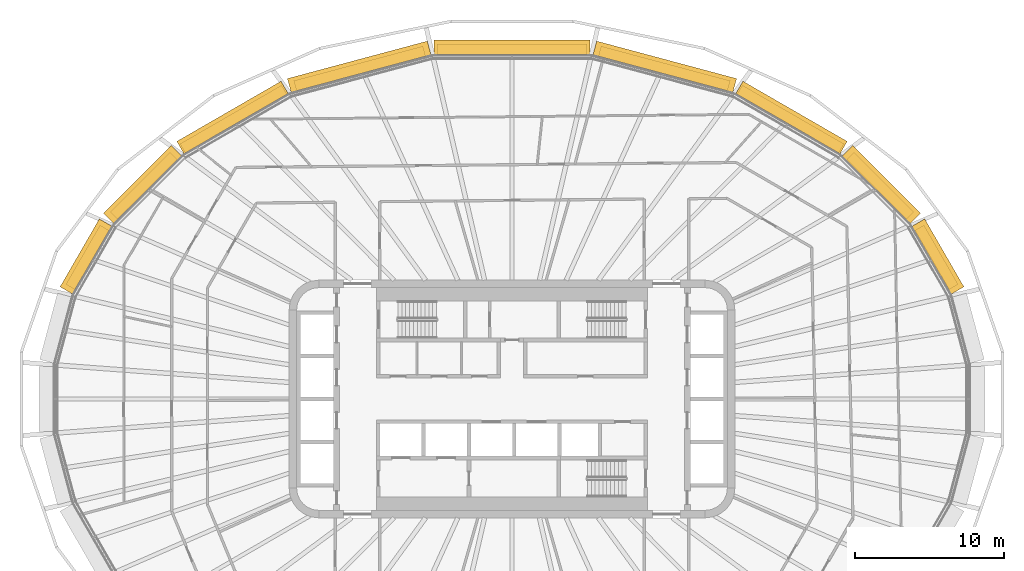
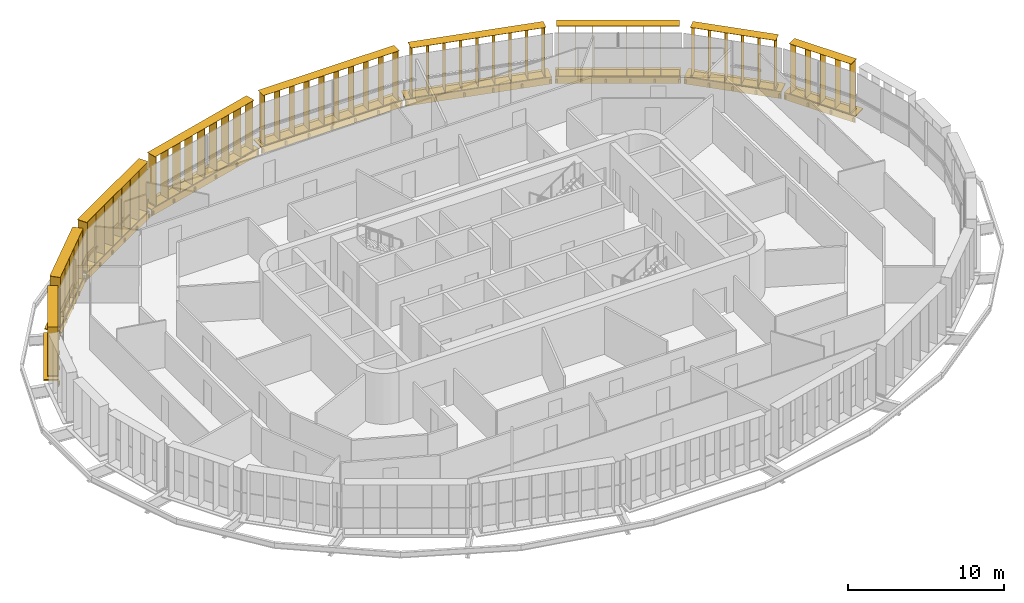
# One storey, part 21 of 22: 18 shading devices.
"""IFC4 building model written with IfcOpenShell, lengths in metres."""

import ifcopenshell
import ifcopenshell.guid

model = None  # the IFC model being written
_history = None  # IfcOwnerHistory: only IFC2X3 demands one
_inside = {}  # id of a spatial element -> (the spatial element, [elements in it])
_under = {}  # id of a project, library or spatial element -> (it, [spatial elements below it])
_declared = {}  # id of a project -> (the project, [libraries it declares])
_typed = {}  # id of a type object -> (the type object, [elements of that type])
_made_of = {}  # id of a material, layer set ... -> (it, [elements and type objects made of it])


def new_model(schema):
    """Start an empty IFC model of exactly this schema.

    Asked for "IFC4X3", IfcOpenShell would pick the latest addendum, in which some entities
    have other attributes; the version numbers below select the first issue.
    IFC2X3 requires an IfcOwnerHistory on every rooted entity: one is made here for all.
    """
    global model, _history
    if schema == "IFC4X3":
        model = ifcopenshell.file(schema_version=(4, 3, 0, 0))
    else:
        model = ifcopenshell.file(schema=schema)
    _inside.clear()
    _under.clear()
    _declared.clear()
    _typed.clear()
    _made_of.clear()
    _history = None
    if model.schema == "IFC2X3":
        org = make("IfcOrganization", Name="unknown")
        user = make(
            "IfcPersonAndOrganization",
            ThePerson=make("IfcPerson", FamilyName="unknown"),
            TheOrganization=org,
        )
        app = make(
            "IfcApplication",
            ApplicationDeveloper=org,
            Version="unknown",
            ApplicationFullName="unknown",
            ApplicationIdentifier="unknown",
        )
        _history = make(
            "IfcOwnerHistory",
            OwningUser=user,
            OwningApplication=app,
            ChangeAction="ADDED",
            CreationDate=0,
        )
    return model


def make(cls, **values):
    """One entity of the class cls with the attributes given. An attribute that is None is left unset."""
    return model.create_entity(
        cls, **{name: value for name, value in values.items() if value is not None}
    )


def rooted(cls, **values):
    """An entity with a GlobalId (a new one), such as an element, a storey or a relation."""
    return make(cls, GlobalId=ifcopenshell.guid.new(), OwnerHistory=_history, **values)


def si_unit(unit_type, name, prefix=None):
    """IfcSIUnit, for example si_unit("LENGTHUNIT", "METRE", prefix="MILLI")."""
    return make("IfcSIUnit", UnitType=unit_type, Prefix=prefix, Name=name)


def assignment(units):
    """IfcUnitAssignment: the units of a project."""
    return None if units is None else make("IfcUnitAssignment", Units=units)


def point(xyz):
    """IfcCartesianPoint."""
    return None if xyz is None else make("IfcCartesianPoint", Coordinates=xyz)


def direction(xyz):
    """IfcDirection."""
    return None if xyz is None else make("IfcDirection", DirectionRatios=xyz)


def frame(location, z_axis=None, x_axis=None):
    """IfcAxis2Placement3D, a coordinate frame: its origin and axes. An axis left out is left unset."""
    return make(
        "IfcAxis2Placement3D",
        Location=point(location),
        Axis=direction(z_axis),
        RefDirection=direction(x_axis),
    )


def frame_2d(location, x_axis=None):
    """IfcAxis2Placement2D, a coordinate frame in the plane: its origin and x axis."""
    return make(
        "IfcAxis2Placement2D", Location=point(location), RefDirection=direction(x_axis)
    )


def origin():
    """The frame at (0, 0, 0) with its axes left unset."""
    return frame((0.0, 0.0, 0.0))


def origin_2d():
    """The frame at (0, 0) in the plane with its x axis left unset."""
    return frame_2d((0.0, 0.0))


def place(relative_to, where):
    """IfcLocalPlacement: puts the frame where relative to a parent placement (None: the world)."""
    return make(
        "IfcLocalPlacement", PlacementRelTo=relative_to, RelativePlacement=where
    )


def context(
    kind, dimensions, precision=None, world=None, true_north=None, identifier=None
):
    """IfcGeometricRepresentationContext, for example the 3D "Model" context."""
    return make(
        "IfcGeometricRepresentationContext",
        ContextIdentifier=identifier,
        ContextType=kind,
        CoordinateSpaceDimension=dimensions,
        Precision=precision,
        WorldCoordinateSystem=world,
        TrueNorth=true_north,
    )


def subcontext(parent, identifier, kind, view, scale=None):
    """IfcGeometricRepresentationSubContext, for example "Body" below "Model"."""
    return make(
        "IfcGeometricRepresentationSubContext",
        ContextIdentifier=identifier,
        ContextType=kind,
        ParentContext=parent,
        TargetScale=scale,
        TargetView=view,
    )


def project(units=None, contexts=None):
    """IfcProject with its units and contexts."""
    return rooted(
        "IfcProject",
        Name="project",
        RepresentationContexts=contexts,
        UnitsInContext=assignment(units),
    )


def spatial(cls, under=None, at=None, **own):
    """A site, building, storey or space (cls), placed at a placement, below another one or the project."""
    s = rooted(cls, ObjectPlacement=at, **own)
    if under is not None:
        _under.setdefault(under.id(), (under, []))[1].append(s)
    return s


def profile(cls, at=None, kind="AREA", **sizes):
    """A parametric profile (cls). Its sizes go by their IFC names, for example OverallWidth=200.0."""
    return make(cls, ProfileType=kind, Position=at, **sizes)


def rectangle(**sizes):
    """IfcRectangleProfileDef."""
    return profile("IfcRectangleProfileDef", **sizes)


def extrude(swept, where, along, depth):
    """IfcExtrudedAreaSolid: the profile swept, set in the frame where, extruded along a direction by depth."""
    return make(
        "IfcExtrudedAreaSolid",
        SweptArea=swept,
        Position=where,
        ExtrudedDirection=direction(along),
        Depth=depth,
    )


def shape(context_of_items, identifier, shape_type, items):
    """IfcShapeRepresentation: the items that make up one representation, for example the "Body"."""
    return make(
        "IfcShapeRepresentation",
        ContextOfItems=context_of_items,
        RepresentationIdentifier=identifier,
        RepresentationType=shape_type,
        Items=items,
    )


def material(Name=None, Category=None):
    """IfcMaterial."""
    return make("IfcMaterial", Name=Name, Category=Category)


def made_of(thing, what):
    """Note that an element or type object is made of a material, layer set ...; save() writes the relation."""
    if what is not None:
        _made_of.setdefault(what.id(), (what, []))[1].append(thing)
    return thing


def type_object(cls, material=None, **own):
    """A type object (cls), such as IfcWallType, which elements share."""
    return made_of(rooted(cls, **own), material)


def element(
    cls,
    number,
    at=None,
    inside=None,
    cuts=None,
    type_object=None,
    material=None,
    context=None,
    identifier="Body",
    shape_type=None,
    held_by="IfcProductDefinitionShape",
    body=None,
    shapes=None,
    **own,
):
    """One element of the class cls, such as IfcWall. Its Tag is "e" and its number.

    at: its placement. inside: the storey or other place that contains it. cuts: it is an
    opening in that element (IfcRelVoidsElement). A single representation is given by context,
    identifier, shape_type and body (its items); several are given by shapes. held_by: the class
    of the entity that holds the representations. save() writes the other relations.
    """
    e = rooted(cls, Tag="e%d" % number, ObjectPlacement=at, **own)
    if body is not None:
        shapes = [shape(context, identifier, shape_type, body)]
    if shapes is not None:
        e.Representation = make(held_by, Representations=shapes)
    if inside is not None:
        _inside.setdefault(inside.id(), (inside, []))[1].append(e)
    if cuts is not None:
        rooted(
            "IfcRelVoidsElement", RelatingBuildingElement=cuts, RelatedOpeningElement=e
        )
    if type_object is not None:
        _typed.setdefault(type_object.id(), (type_object, []))[1].append(e)
    return made_of(e, material)


def aggregate(whole, parts):
    """IfcRelAggregates: a whole, such as a stair, and the parts it consists of."""
    return rooted("IfcRelAggregates", RelatingObject=whole, RelatedObjects=parts)


def save(model, path):
    """Write the relations noted so far, then the file.

    IfcRelAggregates (storeys below a building ...), IfcRelContainedInSpatialStructure (elements
    in a storey), IfcRelDefinesByType, IfcRelAssociatesMaterial and IfcRelDeclares: one each for
    every whole, place, type object, material and project.
    """
    for whole, parts in _under.values():
        aggregate(whole, parts)
    for where, things in _inside.values():
        rooted(
            "IfcRelContainedInSpatialStructure",
            RelatedElements=things,
            RelatingStructure=where,
        )
    for kind, things in _typed.values():
        rooted("IfcRelDefinesByType", RelatedObjects=things, RelatingType=kind)
    for what, things in _made_of.values():
        rooted("IfcRelAssociatesMaterial", RelatedObjects=things, RelatingMaterial=what)
    for by, libraries in _declared.values():
        rooted("IfcRelDeclares", RelatingContext=by, RelatedDefinitions=libraries)
    model.write(path)


model = new_model("IFC4")

# Units and contexts
model_context = context("Model", 3, precision=1e-05, world=origin(), true_north=direction((0.0, 1.0)))
body_context = subcontext(model_context, "Body", "Model", "MODEL_VIEW")
ifc_project = project(units=[si_unit("LENGTHUNIT", "METRE"), si_unit("AREAUNIT", "SQUARE_METRE"), si_unit("VOLUMEUNIT", "CUBIC_METRE"), si_unit("PLANEANGLEUNIT", "RADIAN"), si_unit("MASSUNIT", "GRAM", prefix="KILO")], contexts=[model_context])

# Site, building, storey
site_placement = place(None, origin())
site = spatial("IfcSite", under=ifc_project, at=site_placement, CompositionType="ELEMENT")
building_placement = place(site_placement, origin())
building = spatial("IfcBuilding", under=site, at=building_placement, Name="Sahrelin Media Tower", CompositionType="ELEMENT")
storey_placement = place(building_placement, frame((0.0, 0.0, 189.60009765625)))
storey = spatial("IfcBuildingStorey", under=building, at=storey_placement, Name="L40", CompositionType="ELEMENT", Elevation=189.60009765625)

# Shading devices
ifc_material = material(Name="Champagne anodised aluminium 6063-T6", Category="aluminium")
shading_device_type_1 = type_object("IfcShadingDeviceType", Name="Fin cassette", PredefinedType="USERDEFINED", material=ifc_material)
placement_1 = place(storey_placement, frame((28.211181640625, 9.324951171875, 0.0), z_axis=(0.0, 0.0, 1.0), x_axis=(0.500011000363, -0.866019052629, 0.0)))
element("IfcShadingDevice", 1, at=placement_1, inside=storey, type_object=shading_device_type_1, Name="L40:FIN:L40-02", ObjectType="FIN", PredefinedType="USERDEFINED", context=body_context, shape_type="SweptSolid", body=[
    extrude(rectangle(XDim=4.60009765625, YDim=0.699951171875, at=origin_2d()), frame((0.0, 0.419921875, 0.0)), (0.0, 0.0, 1.0), 0.02001953125),
    extrude(rectangle(XDim=4.60009765625, YDim=0.699951171875, at=origin_2d()), frame((0.0, 0.419921875, 3.89990234375)), (0.0, 0.0, 1.0), 0.02001953125),
    extrude(rectangle(XDim=0.02001953125, YDim=0.699951171875, at=origin_2d()), frame((-2.199951171875, 0.419921875, 0.010009765625), z_axis=(0.0, 0.0, 1.0), x_axis=(1.0, 0.0, 0.0)), (0.0, 0.0, 1.0), 3.89990234375),
    extrude(rectangle(XDim=0.02001953125, YDim=0.699951171875, at=origin_2d()), frame((-1.10009765625, 0.419921875, 0.010009765625), z_axis=(0.0, 0.0, 1.0), x_axis=(1.0, 0.0, 0.0)), (0.0, 0.0, 1.0), 3.89990234375),
    extrude(rectangle(XDim=0.02001953125, YDim=0.699951171875, at=origin_2d()), frame((0.0, 0.419921875, 0.010009765625), z_axis=(0.0, 0.0, 1.0), x_axis=(1.0, 0.0, 0.0)), (0.0, 0.0, 1.0), 3.89990234375),
    extrude(rectangle(XDim=0.02001953125, YDim=0.699951171875, at=origin_2d()), frame((1.10009765625, 0.419921875, 0.010009765625), z_axis=(0.0, 0.0, 1.0), x_axis=(1.0, 0.0, 0.0)), (0.0, 0.0, 1.0), 3.89990234375),
    extrude(rectangle(XDim=0.02001953125, YDim=0.699951171875, at=origin_2d()), frame((2.199951171875, 0.419921875, 0.010009765625), z_axis=(0.0, 0.0, 1.0), x_axis=(1.0, 0.0, 0.0)), (0.0, 0.0, 1.0), 3.89990234375),
])
placement_2 = place(storey_placement, frame((24.48779296875, 14.05126953125, 0.0), z_axis=(0.0, 0.0, 1.0), x_axis=(0.707106781187, -0.707106781187, 0.0)))
element("IfcShadingDevice", 2, at=placement_2, inside=storey, type_object=shading_device_type_1, Name="L40:FIN:L40-03", ObjectType="FIN", PredefinedType="USERDEFINED", context=body_context, shape_type="SweptSolid", body=[
    extrude(rectangle(XDim=5.699951171875, YDim=0.699951171875, at=origin_2d()), frame((0.0, 0.419921875, 0.0)), (0.0, 0.0, 1.0), 0.02001953125),
    extrude(rectangle(XDim=5.699951171875, YDim=0.699951171875, at=origin_2d()), frame((0.0, 0.419921875, 3.89990234375)), (0.0, 0.0, 1.0), 0.02001953125),
    extrude(rectangle(XDim=0.02001953125, YDim=0.699951171875, at=origin_2d()), frame((-2.75, 0.419921875, 0.010009765625), z_axis=(0.0, 0.0, 1.0), x_axis=(1.0, 0.0, 0.0)), (0.0, 0.0, 1.0), 3.89990234375),
    extrude(rectangle(XDim=0.02001953125, YDim=0.699951171875, at=origin_2d()), frame((-1.64990234375, 0.419921875, 0.010009765625), z_axis=(0.0, 0.0, 1.0), x_axis=(1.0, 0.0, 0.0)), (0.0, 0.0, 1.0), 3.89990234375),
    extrude(rectangle(XDim=0.02001953125, YDim=0.699951171875, at=origin_2d()), frame((-0.550048828125, 0.419921875, 0.010009765625), z_axis=(0.0, 0.0, 1.0), x_axis=(1.0, 0.0, 0.0)), (0.0, 0.0, 1.0), 3.89990234375),
    extrude(rectangle(XDim=0.02001953125, YDim=0.699951171875, at=origin_2d()), frame((0.550048828125, 0.419921875, 0.010009765625), z_axis=(0.0, 0.0, 1.0), x_axis=(1.0, 0.0, 0.0)), (0.0, 0.0, 1.0), 3.89990234375),
    extrude(rectangle(XDim=0.02001953125, YDim=0.699951171875, at=origin_2d()), frame((1.64990234375, 0.419921875, 0.010009765625), z_axis=(0.0, 0.0, 1.0), x_axis=(1.0, 0.0, 0.0)), (0.0, 0.0, 1.0), 3.89990234375),
    extrude(rectangle(XDim=0.02001953125, YDim=0.699951171875, at=origin_2d()), frame((2.75, 0.419921875, 0.010009765625), z_axis=(0.0, 0.0, 1.0), x_axis=(1.0, 0.0, 0.0)), (0.0, 0.0, 1.0), 3.89990234375),
])
placement_3 = place(storey_placement, frame((18.540283203125, 18.479736328125, 0.0), z_axis=(0.0, 0.0, 1.0), x_axis=(0.866019052629, -0.500011000363, 0.0)))
element("IfcShadingDevice", 3, at=placement_3, inside=storey, type_object=shading_device_type_1, Name="L40:FIN:L40-04", ObjectType="FIN", PredefinedType="USERDEFINED", context=body_context, shape_type="SweptSolid", body=[
    extrude(rectangle(XDim=7.89990234375, YDim=0.699951171875, at=origin_2d()), frame((0.0, 0.419921875, 0.0)), (0.0, 0.0, 1.0), 0.02001953125),
    extrude(rectangle(XDim=7.89990234375, YDim=0.699951171875, at=origin_2d()), frame((0.0, 0.419921875, 3.89990234375)), (0.0, 0.0, 1.0), 0.02001953125),
    extrude(rectangle(XDim=0.02001953125, YDim=0.699951171875, at=origin_2d()), frame((-3.85009765625, 0.419921875, 0.010009765625), z_axis=(0.0, 0.0, 1.0), x_axis=(1.0, 0.0, 0.0)), (0.0, 0.0, 1.0), 3.89990234375),
    extrude(rectangle(XDim=0.02001953125, YDim=0.699951171875, at=origin_2d()), frame((-2.75, 0.419921875, 0.010009765625), z_axis=(0.0, 0.0, 1.0), x_axis=(1.0, 0.0, 0.0)), (0.0, 0.0, 1.0), 3.89990234375),
    extrude(rectangle(XDim=0.02001953125, YDim=0.699951171875, at=origin_2d()), frame((-1.64990234375, 0.419921875, 0.010009765625), z_axis=(0.0, 0.0, 1.0), x_axis=(1.0, 0.0, 0.0)), (0.0, 0.0, 1.0), 3.89990234375),
    extrude(rectangle(XDim=0.02001953125, YDim=0.699951171875, at=origin_2d()), frame((-0.550048828125, 0.419921875, 0.010009765625), z_axis=(0.0, 0.0, 1.0), x_axis=(1.0, 0.0, 0.0)), (0.0, 0.0, 1.0), 3.89990234375),
    extrude(rectangle(XDim=0.02001953125, YDim=0.699951171875, at=origin_2d()), frame((0.550048828125, 0.419921875, 0.010009765625), z_axis=(0.0, 0.0, 1.0), x_axis=(1.0, 0.0, 0.0)), (0.0, 0.0, 1.0), 3.89990234375),
    extrude(rectangle(XDim=0.02001953125, YDim=0.699951171875, at=origin_2d()), frame((1.64990234375, 0.419921875, 0.010009765625), z_axis=(0.0, 0.0, 1.0), x_axis=(1.0, 0.0, 0.0)), (0.0, 0.0, 1.0), 3.89990234375),
    extrude(rectangle(XDim=0.02001953125, YDim=0.699951171875, at=origin_2d()), frame((2.75, 0.419921875, 0.010009765625), z_axis=(0.0, 0.0, 1.0), x_axis=(1.0, 0.0, 0.0)), (0.0, 0.0, 1.0), 3.89990234375),
    extrude(rectangle(XDim=0.02001953125, YDim=0.699951171875, at=origin_2d()), frame((3.85009765625, 0.419921875, 0.010009765625), z_axis=(0.0, 0.0, 1.0), x_axis=(1.0, 0.0, 0.0)), (0.0, 0.0, 1.0), 3.89990234375),
])
placement_4 = place(storey_placement, frame((10.143310546875, 21.841796875, 0.0), z_axis=(0.0, 0.0, 1.0), x_axis=(0.965928857556, -0.258807731996, 0.0)))
element("IfcShadingDevice", 4, at=placement_4, inside=storey, type_object=shading_device_type_1, Name="L40:FIN:L40-05", ObjectType="FIN", PredefinedType="USERDEFINED", context=body_context, shape_type="SweptSolid", body=[
    extrude(rectangle(XDim=9.0, YDim=0.699951171875, at=origin_2d()), frame((0.0, 0.419921875, 0.0)), (0.0, 0.0, 1.0), 0.02001953125),
    extrude(rectangle(XDim=9.0, YDim=0.699951171875, at=origin_2d()), frame((0.0, 0.419921875, 3.89990234375)), (0.0, 0.0, 1.0), 0.02001953125),
    extrude(rectangle(XDim=0.02001953125, YDim=0.699951171875, at=origin_2d()), frame((-4.39990234375, 0.419921875, 0.010009765625), z_axis=(0.0, 0.0, 1.0), x_axis=(1.0, 0.0, 0.0)), (0.0, 0.0, 1.0), 3.89990234375),
    extrude(rectangle(XDim=0.02001953125, YDim=0.699951171875, at=origin_2d()), frame((-3.300048828125, 0.419921875, 0.010009765625), z_axis=(0.0, 0.0, 1.0), x_axis=(1.0, 0.0, 0.0)), (0.0, 0.0, 1.0), 3.89990234375),
    extrude(rectangle(XDim=0.02001953125, YDim=0.699951171875, at=origin_2d()), frame((-2.199951171875, 0.419921875, 0.010009765625), z_axis=(0.0, 0.0, 1.0), x_axis=(1.0, 0.0, 0.0)), (0.0, 0.0, 1.0), 3.89990234375),
    extrude(rectangle(XDim=0.02001953125, YDim=0.699951171875, at=origin_2d()), frame((-1.10009765625, 0.419921875, 0.010009765625), z_axis=(0.0, 0.0, 1.0), x_axis=(1.0, 0.0, 0.0)), (0.0, 0.0, 1.0), 3.89990234375),
    extrude(rectangle(XDim=0.02001953125, YDim=0.699951171875, at=origin_2d()), frame((0.0, 0.419921875, 0.010009765625), z_axis=(0.0, 0.0, 1.0), x_axis=(1.0, 0.0, 0.0)), (0.0, 0.0, 1.0), 3.89990234375),
    extrude(rectangle(XDim=0.02001953125, YDim=0.699951171875, at=origin_2d()), frame((1.10009765625, 0.419921875, 0.010009765625), z_axis=(0.0, 0.0, 1.0), x_axis=(1.0, 0.0, 0.0)), (0.0, 0.0, 1.0), 3.89990234375),
    extrude(rectangle(XDim=0.02001953125, YDim=0.699951171875, at=origin_2d()), frame((2.199951171875, 0.419921875, 0.010009765625), z_axis=(0.0, 0.0, 1.0), x_axis=(1.0, 0.0, 0.0)), (0.0, 0.0, 1.0), 3.89990234375),
    extrude(rectangle(XDim=0.02001953125, YDim=0.699951171875, at=origin_2d()), frame((3.300048828125, 0.419921875, 0.010009765625), z_axis=(0.0, 0.0, 1.0), x_axis=(1.0, 0.0, 0.0)), (0.0, 0.0, 1.0), 3.89990234375),
    extrude(rectangle(XDim=0.02001953125, YDim=0.699951171875, at=origin_2d()), frame((4.39990234375, 0.419921875, 0.010009765625), z_axis=(0.0, 0.0, 1.0), x_axis=(1.0, 0.0, 0.0)), (0.0, 0.0, 1.0), 3.89990234375),
])
placement_5 = place(storey_placement, frame((0.0, 23.12890625, 0.0), z_axis=(0.0, 0.0, 1.0), x_axis=(1.0, 0.0, 0.0)))
element("IfcShadingDevice", 5, at=placement_5, inside=storey, type_object=shading_device_type_1, Name="L40:FIN:L40-06", ObjectType="FIN", PredefinedType="USERDEFINED", context=body_context, shape_type="SweptSolid", body=[
    extrude(rectangle(XDim=10.10009765625, YDim=0.699951171875, at=origin_2d()), frame((0.0, 0.419921875, 0.0)), (0.0, 0.0, 1.0), 0.02001953125),
    extrude(rectangle(XDim=10.10009765625, YDim=0.699951171875, at=origin_2d()), frame((0.0, 0.419921875, 3.89990234375)), (0.0, 0.0, 1.0), 0.02001953125),
    extrude(rectangle(XDim=0.02001953125, YDim=0.699951171875, at=origin_2d()), frame((-4.949951171875, 0.419921875, 0.010009765625), z_axis=(0.0, 0.0, 1.0), x_axis=(1.0, 0.0, 0.0)), (0.0, 0.0, 1.0), 3.89990234375),
    extrude(rectangle(XDim=0.02001953125, YDim=0.699951171875, at=origin_2d()), frame((-3.85009765625, 0.419921875, 0.010009765625), z_axis=(0.0, 0.0, 1.0), x_axis=(1.0, 0.0, 0.0)), (0.0, 0.0, 1.0), 3.89990234375),
    extrude(rectangle(XDim=0.02001953125, YDim=0.699951171875, at=origin_2d()), frame((-2.75, 0.419921875, 0.010009765625), z_axis=(0.0, 0.0, 1.0), x_axis=(1.0, 0.0, 0.0)), (0.0, 0.0, 1.0), 3.89990234375),
    extrude(rectangle(XDim=0.02001953125, YDim=0.699951171875, at=origin_2d()), frame((-1.64990234375, 0.419921875, 0.010009765625), z_axis=(0.0, 0.0, 1.0), x_axis=(1.0, 0.0, 0.0)), (0.0, 0.0, 1.0), 3.89990234375),
    extrude(rectangle(XDim=0.02001953125, YDim=0.699951171875, at=origin_2d()), frame((-0.550048828125, 0.419921875, 0.010009765625), z_axis=(0.0, 0.0, 1.0), x_axis=(1.0, 0.0, 0.0)), (0.0, 0.0, 1.0), 3.89990234375),
    extrude(rectangle(XDim=0.02001953125, YDim=0.699951171875, at=origin_2d()), frame((0.550048828125, 0.419921875, 0.010009765625), z_axis=(0.0, 0.0, 1.0), x_axis=(1.0, 0.0, 0.0)), (0.0, 0.0, 1.0), 3.89990234375),
    extrude(rectangle(XDim=0.02001953125, YDim=0.699951171875, at=origin_2d()), frame((1.64990234375, 0.419921875, 0.010009765625), z_axis=(0.0, 0.0, 1.0), x_axis=(1.0, 0.0, 0.0)), (0.0, 0.0, 1.0), 3.89990234375),
    extrude(rectangle(XDim=0.02001953125, YDim=0.699951171875, at=origin_2d()), frame((2.75, 0.419921875, 0.010009765625), z_axis=(0.0, 0.0, 1.0), x_axis=(1.0, 0.0, 0.0)), (0.0, 0.0, 1.0), 3.89990234375),
    extrude(rectangle(XDim=0.02001953125, YDim=0.699951171875, at=origin_2d()), frame((3.85009765625, 0.419921875, 0.010009765625), z_axis=(0.0, 0.0, 1.0), x_axis=(1.0, 0.0, 0.0)), (0.0, 0.0, 1.0), 3.89990234375),
    extrude(rectangle(XDim=0.02001953125, YDim=0.699951171875, at=origin_2d()), frame((4.949951171875, 0.419921875, 0.010009765625), z_axis=(0.0, 0.0, 1.0), x_axis=(1.0, 0.0, 0.0)), (0.0, 0.0, 1.0), 3.89990234375),
])
placement_6 = place(storey_placement, frame((-10.143310546875, 21.841796875, 0.0), z_axis=(0.0, 0.0, 1.0), x_axis=(0.965928857556, 0.258807731996, 0.0)))
element("IfcShadingDevice", 6, at=placement_6, inside=storey, type_object=shading_device_type_1, Name="L40:FIN:L40-07", ObjectType="FIN", PredefinedType="USERDEFINED", context=body_context, shape_type="SweptSolid", body=[
    extrude(rectangle(XDim=9.0, YDim=0.699951171875, at=origin_2d()), frame((0.0, 0.419921875, 0.0)), (0.0, 0.0, 1.0), 0.02001953125),
    extrude(rectangle(XDim=9.0, YDim=0.699951171875, at=origin_2d()), frame((0.0, 0.419921875, 3.89990234375)), (0.0, 0.0, 1.0), 0.02001953125),
    extrude(rectangle(XDim=0.02001953125, YDim=0.699951171875, at=origin_2d()), frame((-4.39990234375, 0.419921875, 0.010009765625), z_axis=(0.0, 0.0, 1.0), x_axis=(1.0, 0.0, 0.0)), (0.0, 0.0, 1.0), 3.89990234375),
    extrude(rectangle(XDim=0.02001953125, YDim=0.699951171875, at=origin_2d()), frame((-3.300048828125, 0.419921875, 0.010009765625), z_axis=(0.0, 0.0, 1.0), x_axis=(1.0, 0.0, 0.0)), (0.0, 0.0, 1.0), 3.89990234375),
    extrude(rectangle(XDim=0.02001953125, YDim=0.699951171875, at=origin_2d()), frame((-2.199951171875, 0.419921875, 0.010009765625), z_axis=(0.0, 0.0, 1.0), x_axis=(1.0, 0.0, 0.0)), (0.0, 0.0, 1.0), 3.89990234375),
    extrude(rectangle(XDim=0.02001953125, YDim=0.699951171875, at=origin_2d()), frame((-1.10009765625, 0.419921875, 0.010009765625), z_axis=(0.0, 0.0, 1.0), x_axis=(1.0, 0.0, 0.0)), (0.0, 0.0, 1.0), 3.89990234375),
    extrude(rectangle(XDim=0.02001953125, YDim=0.699951171875, at=origin_2d()), frame((0.0, 0.419921875, 0.010009765625), z_axis=(0.0, 0.0, 1.0), x_axis=(1.0, 0.0, 0.0)), (0.0, 0.0, 1.0), 3.89990234375),
    extrude(rectangle(XDim=0.02001953125, YDim=0.699951171875, at=origin_2d()), frame((1.10009765625, 0.419921875, 0.010009765625), z_axis=(0.0, 0.0, 1.0), x_axis=(1.0, 0.0, 0.0)), (0.0, 0.0, 1.0), 3.89990234375),
    extrude(rectangle(XDim=0.02001953125, YDim=0.699951171875, at=origin_2d()), frame((2.199951171875, 0.419921875, 0.010009765625), z_axis=(0.0, 0.0, 1.0), x_axis=(1.0, 0.0, 0.0)), (0.0, 0.0, 1.0), 3.89990234375),
    extrude(rectangle(XDim=0.02001953125, YDim=0.699951171875, at=origin_2d()), frame((3.300048828125, 0.419921875, 0.010009765625), z_axis=(0.0, 0.0, 1.0), x_axis=(1.0, 0.0, 0.0)), (0.0, 0.0, 1.0), 3.89990234375),
    extrude(rectangle(XDim=0.02001953125, YDim=0.699951171875, at=origin_2d()), frame((4.39990234375, 0.419921875, 0.010009765625), z_axis=(0.0, 0.0, 1.0), x_axis=(1.0, 0.0, 0.0)), (0.0, 0.0, 1.0), 3.89990234375),
])
placement_7 = place(storey_placement, frame((-18.54052734375, 18.47998046875, 0.0), z_axis=(0.0, 0.0, 1.0), x_axis=(0.866019052629, 0.500011000363, 0.0)))
element("IfcShadingDevice", 7, at=placement_7, inside=storey, type_object=shading_device_type_1, Name="L40:FIN:L40-08", ObjectType="FIN", PredefinedType="USERDEFINED", context=body_context, shape_type="SweptSolid", body=[
    extrude(rectangle(XDim=7.89990234375, YDim=0.699951171875, at=origin_2d()), frame((0.0, 0.419921875, 0.0)), (0.0, 0.0, 1.0), 0.02001953125),
    extrude(rectangle(XDim=7.89990234375, YDim=0.699951171875, at=origin_2d()), frame((0.0, 0.419921875, 3.89990234375)), (0.0, 0.0, 1.0), 0.02001953125),
    extrude(rectangle(XDim=0.02001953125, YDim=0.699951171875, at=origin_2d()), frame((-3.85009765625, 0.419921875, 0.010009765625), z_axis=(0.0, 0.0, 1.0), x_axis=(1.0, 0.0, 0.0)), (0.0, 0.0, 1.0), 3.89990234375),
    extrude(rectangle(XDim=0.02001953125, YDim=0.699951171875, at=origin_2d()), frame((-2.75, 0.419921875, 0.010009765625), z_axis=(0.0, 0.0, 1.0), x_axis=(1.0, 0.0, 0.0)), (0.0, 0.0, 1.0), 3.89990234375),
    extrude(rectangle(XDim=0.02001953125, YDim=0.699951171875, at=origin_2d()), frame((-1.64990234375, 0.419921875, 0.010009765625), z_axis=(0.0, 0.0, 1.0), x_axis=(1.0, 0.0, 0.0)), (0.0, 0.0, 1.0), 3.89990234375),
    extrude(rectangle(XDim=0.02001953125, YDim=0.699951171875, at=origin_2d()), frame((-0.550048828125, 0.419921875, 0.010009765625), z_axis=(0.0, 0.0, 1.0), x_axis=(1.0, 0.0, 0.0)), (0.0, 0.0, 1.0), 3.89990234375),
    extrude(rectangle(XDim=0.02001953125, YDim=0.699951171875, at=origin_2d()), frame((0.550048828125, 0.419921875, 0.010009765625), z_axis=(0.0, 0.0, 1.0), x_axis=(1.0, 0.0, 0.0)), (0.0, 0.0, 1.0), 3.89990234375),
    extrude(rectangle(XDim=0.02001953125, YDim=0.699951171875, at=origin_2d()), frame((1.64990234375, 0.419921875, 0.010009765625), z_axis=(0.0, 0.0, 1.0), x_axis=(1.0, 0.0, 0.0)), (0.0, 0.0, 1.0), 3.89990234375),
    extrude(rectangle(XDim=0.02001953125, YDim=0.699951171875, at=origin_2d()), frame((2.75, 0.419921875, 0.010009765625), z_axis=(0.0, 0.0, 1.0), x_axis=(1.0, 0.0, 0.0)), (0.0, 0.0, 1.0), 3.89990234375),
    extrude(rectangle(XDim=0.02001953125, YDim=0.699951171875, at=origin_2d()), frame((3.85009765625, 0.419921875, 0.010009765625), z_axis=(0.0, 0.0, 1.0), x_axis=(1.0, 0.0, 0.0)), (0.0, 0.0, 1.0), 3.89990234375),
])
placement_8 = place(storey_placement, frame((-24.48779296875, 14.05126953125, 0.0), z_axis=(0.0, 0.0, 1.0), x_axis=(0.707106781187, 0.707106781187, 0.0)))
element("IfcShadingDevice", 8, at=placement_8, inside=storey, type_object=shading_device_type_1, Name="L40:FIN:L40-09", ObjectType="FIN", PredefinedType="USERDEFINED", context=body_context, shape_type="SweptSolid", body=[
    extrude(rectangle(XDim=5.699951171875, YDim=0.699951171875, at=origin_2d()), frame((0.0, 0.419921875, 0.0)), (0.0, 0.0, 1.0), 0.02001953125),
    extrude(rectangle(XDim=5.699951171875, YDim=0.699951171875, at=origin_2d()), frame((0.0, 0.419921875, 3.89990234375)), (0.0, 0.0, 1.0), 0.02001953125),
    extrude(rectangle(XDim=0.02001953125, YDim=0.699951171875, at=origin_2d()), frame((-2.75, 0.419921875, 0.010009765625), z_axis=(0.0, 0.0, 1.0), x_axis=(1.0, 0.0, 0.0)), (0.0, 0.0, 1.0), 3.89990234375),
    extrude(rectangle(XDim=0.02001953125, YDim=0.699951171875, at=origin_2d()), frame((-1.64990234375, 0.419921875, 0.010009765625), z_axis=(0.0, 0.0, 1.0), x_axis=(1.0, 0.0, 0.0)), (0.0, 0.0, 1.0), 3.89990234375),
    extrude(rectangle(XDim=0.02001953125, YDim=0.699951171875, at=origin_2d()), frame((-0.550048828125, 0.419921875, 0.010009765625), z_axis=(0.0, 0.0, 1.0), x_axis=(1.0, 0.0, 0.0)), (0.0, 0.0, 1.0), 3.89990234375),
    extrude(rectangle(XDim=0.02001953125, YDim=0.699951171875, at=origin_2d()), frame((0.550048828125, 0.419921875, 0.010009765625), z_axis=(0.0, 0.0, 1.0), x_axis=(1.0, 0.0, 0.0)), (0.0, 0.0, 1.0), 3.89990234375),
    extrude(rectangle(XDim=0.02001953125, YDim=0.699951171875, at=origin_2d()), frame((1.64990234375, 0.419921875, 0.010009765625), z_axis=(0.0, 0.0, 1.0), x_axis=(1.0, 0.0, 0.0)), (0.0, 0.0, 1.0), 3.89990234375),
    extrude(rectangle(XDim=0.02001953125, YDim=0.699951171875, at=origin_2d()), frame((2.75, 0.419921875, 0.010009765625), z_axis=(0.0, 0.0, 1.0), x_axis=(1.0, 0.0, 0.0)), (0.0, 0.0, 1.0), 3.89990234375),
])
placement_9 = place(storey_placement, frame((-28.21142578125, 9.324951171875, 0.0), z_axis=(0.0, 0.0, 1.0), x_axis=(0.500011000363, 0.866019052629, 0.0)))
element("IfcShadingDevice", 9, at=placement_9, inside=storey, type_object=shading_device_type_1, Name="L40:FIN:L40-10", ObjectType="FIN", PredefinedType="USERDEFINED", context=body_context, shape_type="SweptSolid", body=[
    extrude(rectangle(XDim=4.60009765625, YDim=0.699951171875, at=origin_2d()), frame((0.0, 0.419921875, 0.0)), (0.0, 0.0, 1.0), 0.02001953125),
    extrude(rectangle(XDim=4.60009765625, YDim=0.699951171875, at=origin_2d()), frame((0.0, 0.419921875, 3.89990234375)), (0.0, 0.0, 1.0), 0.02001953125),
    extrude(rectangle(XDim=0.02001953125, YDim=0.699951171875, at=origin_2d()), frame((-2.199951171875, 0.419921875, 0.010009765625), z_axis=(0.0, 0.0, 1.0), x_axis=(1.0, 0.0, 0.0)), (0.0, 0.0, 1.0), 3.89990234375),
    extrude(rectangle(XDim=0.02001953125, YDim=0.699951171875, at=origin_2d()), frame((-1.10009765625, 0.419921875, 0.010009765625), z_axis=(0.0, 0.0, 1.0), x_axis=(1.0, 0.0, 0.0)), (0.0, 0.0, 1.0), 3.89990234375),
    extrude(rectangle(XDim=0.02001953125, YDim=0.699951171875, at=origin_2d()), frame((0.0, 0.419921875, 0.010009765625), z_axis=(0.0, 0.0, 1.0), x_axis=(1.0, 0.0, 0.0)), (0.0, 0.0, 1.0), 3.89990234375),
    extrude(rectangle(XDim=0.02001953125, YDim=0.699951171875, at=origin_2d()), frame((1.10009765625, 0.419921875, 0.010009765625), z_axis=(0.0, 0.0, 1.0), x_axis=(1.0, 0.0, 0.0)), (0.0, 0.0, 1.0), 3.89990234375),
    extrude(rectangle(XDim=0.02001953125, YDim=0.699951171875, at=origin_2d()), frame((2.199951171875, 0.419921875, 0.010009765625), z_axis=(0.0, 0.0, 1.0), x_axis=(1.0, 0.0, 0.0)), (0.0, 0.0, 1.0), 3.89990234375),
])
shading_device_type_2 = type_object("IfcShadingDeviceType", Name="Sunshade band", PredefinedType="USERDEFINED", material=ifc_material)
element("IfcShadingDevice", 10, at=placement_1, inside=storey, type_object=shading_device_type_2, Name="L40:SUN:L40-02", ObjectType="SUNSHADE", PredefinedType="USERDEFINED", context=body_context, shape_type="SweptSolid", body=[
    extrude(rectangle(XDim=5.279052734375, YDim=0.050048828125, at=origin_2d()), frame((0.0, 0.044921875, -0.55126953125)), (0.0, 0.0, 1.0), 0.471435546875),
    extrude(rectangle(XDim=5.279052734375, YDim=1.0, at=origin_2d()), frame((0.0, 0.52001953125, -0.080078125)), (0.0, 0.0, 1.0), 0.080078125),
    extrude(rectangle(XDim=0.10009765625, YDim=0.074951171875, at=origin_2d()), frame((-2.53955078125, -0.017578125, -0.47021484375)), (0.0, 0.0, 1.0), 0.300048828125),
    extrude(rectangle(XDim=0.10009765625, YDim=0.074951171875, at=origin_2d()), frame((-0.846435546875, -0.017578125, -0.47021484375)), (0.0, 0.0, 1.0), 0.300048828125),
    extrude(rectangle(XDim=0.10009765625, YDim=0.074951171875, at=origin_2d()), frame((0.846435546875, -0.017578125, -0.47021484375)), (0.0, 0.0, 1.0), 0.300048828125),
    extrude(rectangle(XDim=0.10009765625, YDim=0.074951171875, at=origin_2d()), frame((2.53955078125, -0.017578125, -0.47021484375)), (0.0, 0.0, 1.0), 0.300048828125),
])
element("IfcShadingDevice", 11, at=placement_2, inside=storey, type_object=shading_device_type_2, Name="L40:SUN:L40-03", ObjectType="SUNSHADE", PredefinedType="USERDEFINED", context=body_context, shape_type="SweptSolid", body=[
    extrude(rectangle(XDim=6.45751953125, YDim=0.050048828125, at=origin_2d()), frame((0.0, 0.044921875, -0.55126953125)), (0.0, 0.0, 1.0), 0.471435546875),
    extrude(rectangle(XDim=6.45751953125, YDim=1.0, at=origin_2d()), frame((0.0, 0.52001953125, -0.080078125)), (0.0, 0.0, 1.0), 0.080078125),
    extrude(rectangle(XDim=0.10009765625, YDim=0.074951171875, at=origin_2d()), frame((-3.12890625, -0.017578125, -0.47021484375)), (0.0, 0.0, 1.0), 0.300048828125),
    extrude(rectangle(XDim=0.10009765625, YDim=0.074951171875, at=origin_2d()), frame((-1.564453125, -0.017578125, -0.47021484375)), (0.0, 0.0, 1.0), 0.300048828125),
    extrude(rectangle(XDim=0.10009765625, YDim=0.074951171875, at=origin_2d()), frame((0.0, -0.017578125, -0.47021484375)), (0.0, 0.0, 1.0), 0.300048828125),
    extrude(rectangle(XDim=0.10009765625, YDim=0.074951171875, at=origin_2d()), frame((1.564453125, -0.017578125, -0.47021484375)), (0.0, 0.0, 1.0), 0.300048828125),
    extrude(rectangle(XDim=0.10009765625, YDim=0.074951171875, at=origin_2d()), frame((3.12890625, -0.017578125, -0.47021484375)), (0.0, 0.0, 1.0), 0.300048828125),
])
element("IfcShadingDevice", 12, at=placement_3, inside=storey, type_object=shading_device_type_2, Name="L40:SUN:L40-04", ObjectType="SUNSHADE", PredefinedType="USERDEFINED", context=body_context, shape_type="SweptSolid", body=[
    extrude(rectangle(XDim=8.09912109375, YDim=0.050048828125, at=origin_2d()), frame((0.0, 0.044921875, -0.55126953125)), (0.0, 0.0, 1.0), 0.471435546875),
    extrude(rectangle(XDim=8.09912109375, YDim=1.0, at=origin_2d()), frame((0.0, 0.52001953125, -0.080078125)), (0.0, 0.0, 1.0), 0.080078125),
    extrude(rectangle(XDim=0.10009765625, YDim=0.074951171875, at=origin_2d()), frame((-3.949462890625, -0.017578125, -0.47021484375)), (0.0, 0.0, 1.0), 0.300048828125),
    extrude(rectangle(XDim=0.10009765625, YDim=0.074951171875, at=origin_2d()), frame((-2.36962890625, -0.017578125, -0.47021484375)), (0.0, 0.0, 1.0), 0.300048828125),
    extrude(rectangle(XDim=0.10009765625, YDim=0.074951171875, at=origin_2d()), frame((-0.789794921875, -0.017578125, -0.47021484375)), (0.0, 0.0, 1.0), 0.300048828125),
    extrude(rectangle(XDim=0.10009765625, YDim=0.074951171875, at=origin_2d()), frame((0.789794921875, -0.017578125, -0.47021484375)), (0.0, 0.0, 1.0), 0.300048828125),
    extrude(rectangle(XDim=0.10009765625, YDim=0.074951171875, at=origin_2d()), frame((2.36962890625, -0.017578125, -0.47021484375)), (0.0, 0.0, 1.0), 0.300048828125),
    extrude(rectangle(XDim=0.10009765625, YDim=0.074951171875, at=origin_2d()), frame((3.949462890625, -0.017578125, -0.47021484375)), (0.0, 0.0, 1.0), 0.300048828125),
])
element("IfcShadingDevice", 13, at=placement_4, inside=storey, type_object=shading_device_type_2, Name="L40:SUN:L40-05", ObjectType="SUNSHADE", PredefinedType="USERDEFINED", context=body_context, shape_type="SweptSolid", body=[
    extrude(rectangle(XDim=9.74609375, YDim=0.050048828125, at=origin_2d()), frame((0.0, 0.044921875, -0.55126953125)), (0.0, 0.0, 1.0), 0.471435546875),
    extrude(rectangle(XDim=9.74609375, YDim=1.0, at=origin_2d()), frame((0.0, 0.52001953125, -0.080078125)), (0.0, 0.0, 1.0), 0.080078125),
    extrude(rectangle(XDim=0.10009765625, YDim=0.074951171875, at=origin_2d()), frame((-4.773193359375, -0.017578125, -0.47021484375)), (0.0, 0.0, 1.0), 0.300048828125),
    extrude(rectangle(XDim=0.10009765625, YDim=0.074951171875, at=origin_2d()), frame((-2.864013671875, -0.017578125, -0.47021484375)), (0.0, 0.0, 1.0), 0.300048828125),
    extrude(rectangle(XDim=0.10009765625, YDim=0.074951171875, at=origin_2d()), frame((-0.95458984375, -0.017578125, -0.47021484375)), (0.0, 0.0, 1.0), 0.300048828125),
    extrude(rectangle(XDim=0.10009765625, YDim=0.074951171875, at=origin_2d()), frame((0.95458984375, -0.017578125, -0.47021484375)), (0.0, 0.0, 1.0), 0.300048828125),
    extrude(rectangle(XDim=0.10009765625, YDim=0.074951171875, at=origin_2d()), frame((2.864013671875, -0.017578125, -0.47021484375)), (0.0, 0.0, 1.0), 0.300048828125),
    extrude(rectangle(XDim=0.10009765625, YDim=0.074951171875, at=origin_2d()), frame((4.773193359375, -0.017578125, -0.47021484375)), (0.0, 0.0, 1.0), 0.300048828125),
])
element("IfcShadingDevice", 14, at=placement_5, inside=storey, type_object=shading_device_type_2, Name="L40:SUN:L40-06", ObjectType="SUNSHADE", PredefinedType="USERDEFINED", context=body_context, shape_type="SweptSolid", body=[
    extrude(rectangle(XDim=10.479248046875, YDim=0.050048828125, at=origin_2d()), frame((0.0, 0.044921875, -0.55126953125)), (0.0, 0.0, 1.0), 0.471435546875),
    extrude(rectangle(XDim=10.479248046875, YDim=1.0, at=origin_2d()), frame((0.0, 0.52001953125, -0.080078125)), (0.0, 0.0, 1.0), 0.080078125),
    extrude(rectangle(XDim=0.10009765625, YDim=0.074951171875, at=origin_2d()), frame((-5.1396484375, -0.017578125, -0.47021484375)), (0.0, 0.0, 1.0), 0.300048828125),
    extrude(rectangle(XDim=0.10009765625, YDim=0.074951171875, at=origin_2d()), frame((-3.426513671875, -0.017578125, -0.47021484375)), (0.0, 0.0, 1.0), 0.300048828125),
    extrude(rectangle(XDim=0.10009765625, YDim=0.074951171875, at=origin_2d()), frame((-1.713134765625, -0.017578125, -0.47021484375)), (0.0, 0.0, 1.0), 0.300048828125),
    extrude(rectangle(XDim=0.10009765625, YDim=0.074951171875, at=origin_2d()), frame((0.0, -0.017578125, -0.47021484375)), (0.0, 0.0, 1.0), 0.300048828125),
    extrude(rectangle(XDim=0.10009765625, YDim=0.074951171875, at=origin_2d()), frame((1.713134765625, -0.017578125, -0.47021484375)), (0.0, 0.0, 1.0), 0.300048828125),
    extrude(rectangle(XDim=0.10009765625, YDim=0.074951171875, at=origin_2d()), frame((3.426513671875, -0.017578125, -0.47021484375)), (0.0, 0.0, 1.0), 0.300048828125),
    extrude(rectangle(XDim=0.10009765625, YDim=0.074951171875, at=origin_2d()), frame((5.1396484375, -0.017578125, -0.47021484375)), (0.0, 0.0, 1.0), 0.300048828125),
])
element("IfcShadingDevice", 15, at=placement_6, inside=storey, type_object=shading_device_type_2, Name="L40:SUN:L40-07", ObjectType="SUNSHADE", PredefinedType="USERDEFINED", context=body_context, shape_type="SweptSolid", body=[
    extrude(rectangle(XDim=9.74609375, YDim=0.050048828125, at=origin_2d()), frame((0.0, 0.044921875, -0.55126953125)), (0.0, 0.0, 1.0), 0.471435546875),
    extrude(rectangle(XDim=9.74609375, YDim=1.0, at=origin_2d()), frame((0.0, 0.52001953125, -0.080078125)), (0.0, 0.0, 1.0), 0.080078125),
    extrude(rectangle(XDim=0.10009765625, YDim=0.074951171875, at=origin_2d()), frame((-4.773193359375, -0.017578125, -0.47021484375)), (0.0, 0.0, 1.0), 0.300048828125),
    extrude(rectangle(XDim=0.10009765625, YDim=0.074951171875, at=origin_2d()), frame((-2.864013671875, -0.017578125, -0.47021484375)), (0.0, 0.0, 1.0), 0.300048828125),
    extrude(rectangle(XDim=0.10009765625, YDim=0.074951171875, at=origin_2d()), frame((-0.95458984375, -0.017578125, -0.47021484375)), (0.0, 0.0, 1.0), 0.300048828125),
    extrude(rectangle(XDim=0.10009765625, YDim=0.074951171875, at=origin_2d()), frame((0.95458984375, -0.017578125, -0.47021484375)), (0.0, 0.0, 1.0), 0.300048828125),
    extrude(rectangle(XDim=0.10009765625, YDim=0.074951171875, at=origin_2d()), frame((2.864013671875, -0.017578125, -0.47021484375)), (0.0, 0.0, 1.0), 0.300048828125),
    extrude(rectangle(XDim=0.10009765625, YDim=0.074951171875, at=origin_2d()), frame((4.773193359375, -0.017578125, -0.47021484375)), (0.0, 0.0, 1.0), 0.300048828125),
])
element("IfcShadingDevice", 16, at=placement_7, inside=storey, type_object=shading_device_type_2, Name="L40:SUN:L40-08", ObjectType="SUNSHADE", PredefinedType="USERDEFINED", context=body_context, shape_type="SweptSolid", body=[
    extrude(rectangle(XDim=8.09912109375, YDim=0.050048828125, at=origin_2d()), frame((0.0, 0.044921875, -0.55126953125)), (0.0, 0.0, 1.0), 0.471435546875),
    extrude(rectangle(XDim=8.09912109375, YDim=1.0, at=origin_2d()), frame((0.0, 0.52001953125, -0.080078125)), (0.0, 0.0, 1.0), 0.080078125),
    extrude(rectangle(XDim=0.10009765625, YDim=0.074951171875, at=origin_2d()), frame((-3.949462890625, -0.017578125, -0.47021484375)), (0.0, 0.0, 1.0), 0.300048828125),
    extrude(rectangle(XDim=0.10009765625, YDim=0.074951171875, at=origin_2d()), frame((-2.36962890625, -0.017578125, -0.47021484375)), (0.0, 0.0, 1.0), 0.300048828125),
    extrude(rectangle(XDim=0.10009765625, YDim=0.074951171875, at=origin_2d()), frame((-0.789794921875, -0.017578125, -0.47021484375)), (0.0, 0.0, 1.0), 0.300048828125),
    extrude(rectangle(XDim=0.10009765625, YDim=0.074951171875, at=origin_2d()), frame((0.789794921875, -0.017578125, -0.47021484375)), (0.0, 0.0, 1.0), 0.300048828125),
    extrude(rectangle(XDim=0.10009765625, YDim=0.074951171875, at=origin_2d()), frame((2.36962890625, -0.017578125, -0.47021484375)), (0.0, 0.0, 1.0), 0.300048828125),
    extrude(rectangle(XDim=0.10009765625, YDim=0.074951171875, at=origin_2d()), frame((3.949462890625, -0.017578125, -0.47021484375)), (0.0, 0.0, 1.0), 0.300048828125),
])
element("IfcShadingDevice", 17, at=placement_8, inside=storey, type_object=shading_device_type_2, Name="L40:SUN:L40-09", ObjectType="SUNSHADE", PredefinedType="USERDEFINED", context=body_context, shape_type="SweptSolid", body=[
    extrude(rectangle(XDim=6.45751953125, YDim=0.050048828125, at=origin_2d()), frame((0.0, 0.044921875, -0.55126953125)), (0.0, 0.0, 1.0), 0.471435546875),
    extrude(rectangle(XDim=6.45751953125, YDim=1.0, at=origin_2d()), frame((0.0, 0.52001953125, -0.080078125)), (0.0, 0.0, 1.0), 0.080078125),
    extrude(rectangle(XDim=0.10009765625, YDim=0.074951171875, at=origin_2d()), frame((-3.12890625, -0.017578125, -0.47021484375)), (0.0, 0.0, 1.0), 0.300048828125),
    extrude(rectangle(XDim=0.10009765625, YDim=0.074951171875, at=origin_2d()), frame((-1.564453125, -0.017578125, -0.47021484375)), (0.0, 0.0, 1.0), 0.300048828125),
    extrude(rectangle(XDim=0.10009765625, YDim=0.074951171875, at=origin_2d()), frame((0.0, -0.017578125, -0.47021484375)), (0.0, 0.0, 1.0), 0.300048828125),
    extrude(rectangle(XDim=0.10009765625, YDim=0.074951171875, at=origin_2d()), frame((1.564453125, -0.017578125, -0.47021484375)), (0.0, 0.0, 1.0), 0.300048828125),
    extrude(rectangle(XDim=0.10009765625, YDim=0.074951171875, at=origin_2d()), frame((3.12890625, -0.017578125, -0.47021484375)), (0.0, 0.0, 1.0), 0.300048828125),
])
element("IfcShadingDevice", 18, at=placement_9, inside=storey, type_object=shading_device_type_2, Name="L40:SUN:L40-10", ObjectType="SUNSHADE", PredefinedType="USERDEFINED", context=body_context, shape_type="SweptSolid", body=[
    extrude(rectangle(XDim=5.279052734375, YDim=0.050048828125, at=origin_2d()), frame((0.0, 0.044921875, -0.55126953125)), (0.0, 0.0, 1.0), 0.471435546875),
    extrude(rectangle(XDim=5.279052734375, YDim=1.0, at=origin_2d()), frame((0.0, 0.52001953125, -0.080078125)), (0.0, 0.0, 1.0), 0.080078125),
    extrude(rectangle(XDim=0.10009765625, YDim=0.074951171875, at=origin_2d()), frame((-2.53955078125, -0.017578125, -0.47021484375)), (0.0, 0.0, 1.0), 0.300048828125),
    extrude(rectangle(XDim=0.10009765625, YDim=0.074951171875, at=origin_2d()), frame((-0.846435546875, -0.017578125, -0.47021484375)), (0.0, 0.0, 1.0), 0.300048828125),
    extrude(rectangle(XDim=0.10009765625, YDim=0.074951171875, at=origin_2d()), frame((0.846435546875, -0.017578125, -0.47021484375)), (0.0, 0.0, 1.0), 0.300048828125),
    extrude(rectangle(XDim=0.10009765625, YDim=0.074951171875, at=origin_2d()), frame((2.53955078125, -0.017578125, -0.47021484375)), (0.0, 0.0, 1.0), 0.300048828125),
])

save(model, "model.ifc")
